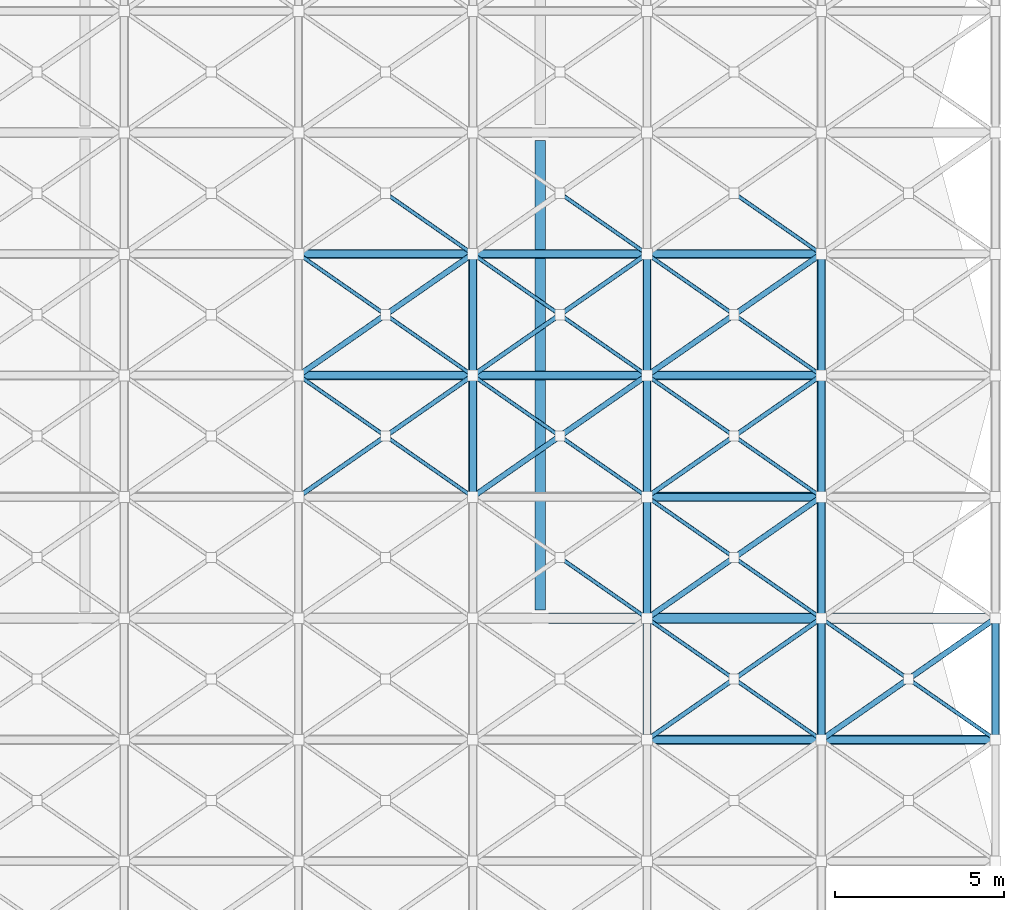
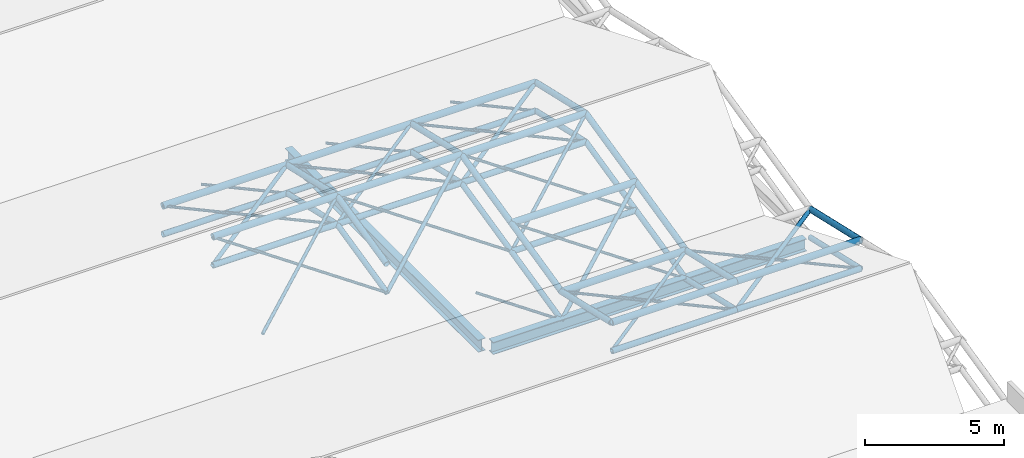
# One storey, part 43 of 110: 71 members, 2 beams.
"""IFC4 building model written with IfcOpenShell, lengths in metres."""

from ifc_helpers import new_model, si_unit, direction, frame, origin, origin_2d, place, context, subcontext, project, spatial, hollow_circle, i_section, extrude, material, material_profile, profile_set, type_object, element, save


model = new_model("IFC4")

# Units and contexts
model_context = context("Model", 3, precision=1e-05, world=origin(), true_north=direction((0.0, 1.0)))
body_context = subcontext(model_context, "Body", "Model", "MODEL_VIEW")
ifc_project = project(units=[si_unit("LENGTHUNIT", "METRE"), si_unit("AREAUNIT", "SQUARE_METRE"), si_unit("VOLUMEUNIT", "CUBIC_METRE"), si_unit("PLANEANGLEUNIT", "RADIAN"), si_unit("MASSUNIT", "GRAM", prefix="KILO")], contexts=[model_context])

# Site, building, storey
site_placement = place(None, origin())
site = spatial("IfcSite", under=ifc_project, at=site_placement, CompositionType="ELEMENT")
building_placement = place(site_placement, origin())
building = spatial("IfcBuilding", under=site, at=building_placement, Name="Tamarisk Ironworks Central Station", CompositionType="ELEMENT")
storey_placement = place(building_placement, frame((0.0, 0.0, 17.39990234375)))
storey = spatial("IfcBuildingStorey", under=building, at=storey_placement, Name="L03", CompositionType="ELEMENT", Elevation=17.39990234375)

# Beams
ifc_material_1 = material(Name="Structural steel S355J2", Category="steel")
ifc_material_profile_1 = material_profile(ifc_material_1, i_section(OverallWidth=0.300048828125, OverallDepth=0.5400390625, WebThickness=0.012451171875, FlangeThickness=0.02392578125, at=origin_2d()), Name="HEA 550")
ifc_profile_set_1 = profile_set([ifc_material_profile_1], Name="Structural steel S355J2")
beam_type = type_object("IfcBeamType", Name="BM-G04", PredefinedType="BEAM", material=ifc_profile_set_1)
beam_1_placement = place(storey_placement, frame((166.741943359375, 36.0, -1.869873046875), z_axis=(1.0, 0.0, 0.0), x_axis=(0.0, 1.0, 0.0)))
element("IfcBeam", 1, at=beam_1_placement, inside=storey, type_object=beam_type, Name="L03 primary girder X-0556", PredefinedType="BEAM", context=body_context, shape_type="SweptSolid", body=[
    extrude(i_section(OverallWidth=0.300048828125, OverallDepth=0.5400390625, WebThickness=0.012451171875, FlangeThickness=0.02392578125, at=origin_2d()), origin(), (0.0, 0.0, 1.0), 13.02001953125),
])
beam_2_placement = place(storey_placement, frame((166.5, 36.241943359375, -1.869873046875), z_axis=(0.0, 1.0, 0.0), x_axis=(-1.0, 0.0, 0.0)))
element("IfcBeam", 2, at=beam_2_placement, inside=storey, type_object=beam_type, Name="L03 primary girder Y-0618", PredefinedType="BEAM", context=body_context, shape_type="SweptSolid", body=[
    extrude(i_section(OverallWidth=0.300048828125, OverallDepth=0.5400390625, WebThickness=0.012451171875, FlangeThickness=0.02392578125, at=origin_2d()), origin(), (0.0, 0.0, 1.0), 13.916015625),
])

# Members
ifc_material_2 = material(Name="Structural steel S355J2H", Category="steel")
ifc_material_profile_2 = material_profile(ifc_material_2, hollow_circle(Radius=0.136474609375, WallThickness=0.012451171875, at=origin_2d()), Name="CHS 273x12.5")
ifc_profile_set_2 = profile_set([ifc_material_profile_2], Name="Structural steel S355J2H")
member_type_1 = type_object("IfcMemberType", Name="MB-SFC01", PredefinedType="CHORD", material=ifc_profile_set_2)
member_1_placement = place(storey_placement, frame((169.666748046875, 32.39990234375, 0.35498046875), z_axis=(1.0, 0.0, 0.0), x_axis=(0.0, 1.0, 0.0)))
element("IfcMember", 3, at=member_1_placement, inside=storey, type_object=member_type_1, Name="Train shed space-frame top chord 1097", PredefinedType="CHORD", context=body_context, shape_type="SweptSolid", body=[
    extrude(hollow_circle(Radius=0.136474609375, WallThickness=0.012451171875, at=origin_2d()), origin(), (0.0, 0.0, 1.0), 5.16650390625),
])
member_2_placement = place(storey_placement, frame((174.833251953125, 32.39990234375, 0.35498046875), z_axis=(1.0, 0.0, 0.0), x_axis=(0.0, 1.0, 0.0)))
element("IfcMember", 4, at=member_2_placement, inside=storey, type_object=member_type_1, Name="Train shed space-frame top chord 1098", PredefinedType="CHORD", context=body_context, shape_type="SweptSolid", body=[
    extrude(hollow_circle(Radius=0.136474609375, WallThickness=0.012451171875, at=origin_2d()), origin(), (0.0, 0.0, 1.0), 5.166748046875),
])
for number, where, z_axis, x_axis, name in (
    (5, (169.666748046875, 36.0, -0.469970703125), (1.0, 0.0, 0.0), (0.0, 1.0, 0.0), "Train shed space-frame top chord 1109"),
    (6, (169.666748046875, 39.60009765625, 0.35498046875), (1.0, 0.0, 0.0), (0.0, 1.0, 0.0), "Train shed space-frame top chord 1357"),
):
    element("IfcMember", number, at=place(storey_placement, frame(where, z_axis=z_axis, x_axis=x_axis)), inside=storey, type_object=member_type_1, Name=name, PredefinedType="CHORD", context=body_context, shape_type="SweptSolid", body=[
        extrude(hollow_circle(Radius=0.136474609375, WallThickness=0.012451171875, at=origin_2d()), origin(), (0.0, 0.0, 1.0), 5.16650390625),
    ])
for number, where, z_axis, x_axis, name in (
    (7, (159.333251953125, 43.199951171875, 1.18017578125), (1.0, 0.0, 0.0), (0.0, 1.0, 0.0), "Train shed space-frame top chord 1367"),
    (8, (164.5, 43.199951171875, 1.18017578125), (1.0, 0.0, 0.0), (0.0, 1.0, 0.0), "Train shed space-frame top chord 1368"),
):
    element("IfcMember", number, at=place(storey_placement, frame(where, z_axis=z_axis, x_axis=x_axis)), inside=storey, type_object=member_type_1, Name=name, PredefinedType="CHORD", context=body_context, shape_type="SweptSolid", body=[
        extrude(hollow_circle(Radius=0.136474609375, WallThickness=0.012451171875, at=origin_2d()), origin(), (0.0, 0.0, 1.0), 5.166748046875),
    ])
member_3_placement = place(storey_placement, frame((169.666748046875, 43.199951171875, 1.18017578125), z_axis=(1.0, 0.0, 0.0), x_axis=(0.0, 1.0, 0.0)))
element("IfcMember", 9, at=member_3_placement, inside=storey, type_object=member_type_1, Name="Train shed space-frame top chord 1369", PredefinedType="CHORD", context=body_context, shape_type="SweptSolid", body=[
    extrude(hollow_circle(Radius=0.136474609375, WallThickness=0.012451171875, at=origin_2d()), origin(), (0.0, 0.0, 1.0), 5.16650390625),
])
for number, where, z_axis, x_axis, name in (
    (10, (159.333251953125, 46.800048828125, 0.35498046875), (1.0, 0.0, 0.0), (0.0, 1.0, 0.0), "Train shed space-frame top chord 1379"),
    (11, (164.5, 46.800048828125, 0.35498046875), (1.0, 0.0, 0.0), (0.0, 1.0, 0.0), "Train shed space-frame top chord 1380"),
):
    element("IfcMember", number, at=place(storey_placement, frame(where, z_axis=z_axis, x_axis=x_axis)), inside=storey, type_object=member_type_1, Name=name, PredefinedType="CHORD", context=body_context, shape_type="SweptSolid", body=[
        extrude(hollow_circle(Radius=0.136474609375, WallThickness=0.012451171875, at=origin_2d()), origin(), (0.0, 0.0, 1.0), 5.166748046875),
    ])
member_4_placement = place(storey_placement, frame((169.666748046875, 46.800048828125, 0.35498046875), z_axis=(1.0, 0.0, 0.0), x_axis=(0.0, 1.0, 0.0)))
element("IfcMember", 12, at=member_4_placement, inside=storey, type_object=member_type_1, Name="Train shed space-frame top chord 1381", PredefinedType="CHORD", context=body_context, shape_type="SweptSolid", body=[
    extrude(hollow_circle(Radius=0.136474609375, WallThickness=0.012451171875, at=origin_2d()), origin(), (0.0, 0.0, 1.0), 5.16650390625),
])
ifc_material_profile_3 = material_profile(ifc_material_2, hollow_circle(Radius=0.122314453125, WallThickness=0.012451171875, at=origin_2d()), Name="CHS 244.5x12.5")
ifc_profile_set_3 = profile_set([ifc_material_profile_3], Name="Structural steel S355J2H")
member_type_2 = type_object("IfcMemberType", Name="MB-SFC02", PredefinedType="CHORD", material=ifc_profile_set_3)
member_5_placement = place(storey_placement, frame((169.666748046875, 32.39990234375, -0.89501953125), z_axis=(1.0, 0.0, 0.0), x_axis=(0.0, 1.0, 0.0)))
element("IfcMember", 13, at=member_5_placement, inside=storey, type_object=member_type_2, Name="Train shed space-frame bottom chord 0997", PredefinedType="CHORD", context=body_context, shape_type="SweptSolid", body=[
    extrude(hollow_circle(Radius=0.122314453125, WallThickness=0.012451171875, at=origin_2d()), origin(), (0.0, 0.0, 1.0), 5.16650390625),
])
member_6_placement = place(storey_placement, frame((174.833251953125, 32.39990234375, -0.89501953125), z_axis=(1.0, 0.0, 0.0), x_axis=(0.0, 1.0, 0.0)))
element("IfcMember", 14, at=member_6_placement, inside=storey, type_object=member_type_2, Name="Train shed space-frame bottom chord 0998", PredefinedType="CHORD", context=body_context, shape_type="SweptSolid", body=[
    extrude(hollow_circle(Radius=0.122314453125, WallThickness=0.012451171875, at=origin_2d()), origin(), (0.0, 0.0, 1.0), 5.166748046875),
])
for number, where, z_axis, x_axis, name in (
    (15, (169.666748046875, 32.39990234375, 0.35498046875), (0.0, 0.974736516158, -0.223357838607), (-1.0, 0.0, 0.0), "Train shed space-frame top transverse chord 1154"),
    (16, (174.833251953125, 32.39990234375, 0.35498046875), (0.0, 0.974736516158, -0.223357838607), (-1.0, 0.0, 0.0), "Train shed space-frame top transverse chord 1158"),
    (17, (180.0, 32.39990234375, 0.35498046875), (0.0, 0.974736516158, -0.223357838607), (-1.0, 0.0, 0.0), "Train shed space-frame top transverse chord 1162"),
):
    element("IfcMember", number, at=place(storey_placement, frame(where, z_axis=z_axis, x_axis=x_axis)), inside=storey, type_object=member_type_2, Name=name, PredefinedType="CHORD", context=body_context, shape_type="SweptSolid", body=[
        extrude(hollow_circle(Radius=0.122314453125, WallThickness=0.012451171875, at=origin_2d()), origin(), (0.0, 0.0, 1.0), 3.693359375),
    ])
member_7_placement = place(storey_placement, frame((169.666748046875, 39.60009765625, -0.89501953125), z_axis=(1.0, 0.0, 0.0), x_axis=(0.0, 1.0, 0.0)))
element("IfcMember", 18, at=member_7_placement, inside=storey, type_object=member_type_2, Name="Train shed space-frame bottom chord 1269", PredefinedType="CHORD", context=body_context, shape_type="SweptSolid", body=[
    extrude(hollow_circle(Radius=0.122314453125, WallThickness=0.012451171875, at=origin_2d()), origin(), (0.0, 0.0, 1.0), 5.16650390625),
])
for number, where, z_axis, x_axis, name in (
    (19, (159.333251953125, 43.199951171875, -0.06982421875), (1.0, 0.0, 0.0), (0.0, 1.0, 0.0), "Train shed space-frame bottom chord 1279"),
    (20, (164.5, 43.199951171875, -0.06982421875), (1.0, 0.0, 0.0), (0.0, 1.0, 0.0), "Train shed space-frame bottom chord 1280"),
):
    element("IfcMember", number, at=place(storey_placement, frame(where, z_axis=z_axis, x_axis=x_axis)), inside=storey, type_object=member_type_2, Name=name, PredefinedType="CHORD", context=body_context, shape_type="SweptSolid", body=[
        extrude(hollow_circle(Radius=0.122314453125, WallThickness=0.012451171875, at=origin_2d()), origin(), (0.0, 0.0, 1.0), 5.166748046875),
    ])
member_8_placement = place(storey_placement, frame((169.666748046875, 43.199951171875, -0.06982421875), z_axis=(1.0, 0.0, 0.0), x_axis=(0.0, 1.0, 0.0)))
element("IfcMember", 21, at=member_8_placement, inside=storey, type_object=member_type_2, Name="Train shed space-frame bottom chord 1281", PredefinedType="CHORD", context=body_context, shape_type="SweptSolid", body=[
    extrude(hollow_circle(Radius=0.122314453125, WallThickness=0.012451171875, at=origin_2d()), origin(), (0.0, 0.0, 1.0), 5.16650390625),
])
for number, where, z_axis, x_axis, name in (
    (22, (159.333251953125, 46.800048828125, -0.89501953125), (1.0, 0.0, 0.0), (0.0, 1.0, 0.0), "Train shed space-frame bottom chord 1291"),
    (23, (164.5, 46.800048828125, -0.89501953125), (1.0, 0.0, 0.0), (0.0, 1.0, 0.0), "Train shed space-frame bottom chord 1292"),
):
    element("IfcMember", number, at=place(storey_placement, frame(where, z_axis=z_axis, x_axis=x_axis)), inside=storey, type_object=member_type_2, Name=name, PredefinedType="CHORD", context=body_context, shape_type="SweptSolid", body=[
        extrude(hollow_circle(Radius=0.122314453125, WallThickness=0.012451171875, at=origin_2d()), origin(), (0.0, 0.0, 1.0), 5.166748046875),
    ])
member_9_placement = place(storey_placement, frame((169.666748046875, 46.800048828125, -0.89501953125), z_axis=(1.0, 0.0, 0.0), x_axis=(0.0, 1.0, 0.0)))
element("IfcMember", 24, at=member_9_placement, inside=storey, type_object=member_type_2, Name="Train shed space-frame bottom chord 1293", PredefinedType="CHORD", context=body_context, shape_type="SweptSolid", body=[
    extrude(hollow_circle(Radius=0.122314453125, WallThickness=0.012451171875, at=origin_2d()), origin(), (0.0, 0.0, 1.0), 5.16650390625),
])
member_10_placement = place(storey_placement, frame((164.5, 39.60009765625, 0.35498046875), z_axis=(0.0, 0.974718823144, 0.223435037113), x_axis=(-1.0, 0.0, 0.0)))
element("IfcMember", 25, at=member_10_placement, inside=storey, type_object=member_type_2, Name="Train shed space-frame top transverse chord 1432", PredefinedType="CHORD", context=body_context, shape_type="SweptSolid", body=[
    extrude(hollow_circle(Radius=0.122314453125, WallThickness=0.012451171875, at=origin_2d()), origin(), (0.0, 0.0, 1.0), 3.693115234375),
])
for number, where, z_axis, x_axis, name in (
    (26, (164.5, 43.199951171875, 1.18017578125), (0.0, 0.974722123001, -0.223420641241), (-1.0, 0.0, 0.0), "Train shed space-frame top transverse chord 1433"),
    (27, (169.666748046875, 36.0, -0.469970703125), (0.0, 0.974736516158, 0.223357838607), (-1.0, 0.0, 0.0), "Train shed space-frame top transverse chord 1435"),
):
    element("IfcMember", number, at=place(storey_placement, frame(where, z_axis=z_axis, x_axis=x_axis)), inside=storey, type_object=member_type_2, Name=name, PredefinedType="CHORD", context=body_context, shape_type="SweptSolid", body=[
        extrude(hollow_circle(Radius=0.122314453125, WallThickness=0.012451171875, at=origin_2d()), origin(), (0.0, 0.0, 1.0), 3.693359375),
    ])
member_11_placement = place(storey_placement, frame((169.666748046875, 39.60009765625, 0.35498046875), z_axis=(0.0, 0.974718823144, 0.223435037113), x_axis=(-1.0, 0.0, 0.0)))
element("IfcMember", 28, at=member_11_placement, inside=storey, type_object=member_type_2, Name="Train shed space-frame top transverse chord 1436", PredefinedType="CHORD", context=body_context, shape_type="SweptSolid", body=[
    extrude(hollow_circle(Radius=0.122314453125, WallThickness=0.012451171875, at=origin_2d()), origin(), (0.0, 0.0, 1.0), 3.693115234375),
])
for number, where, z_axis, x_axis, name in (
    (29, (169.666748046875, 43.199951171875, 1.18017578125), (0.0, 0.974722123001, -0.223420641241), (-1.0, 0.0, 0.0), "Train shed space-frame top transverse chord 1437"),
    (30, (174.833251953125, 36.0, -0.469970703125), (0.0, 0.974736516158, 0.223357838607), (-1.0, 0.0, 0.0), "Train shed space-frame top transverse chord 1439"),
):
    element("IfcMember", number, at=place(storey_placement, frame(where, z_axis=z_axis, x_axis=x_axis)), inside=storey, type_object=member_type_2, Name=name, PredefinedType="CHORD", context=body_context, shape_type="SweptSolid", body=[
        extrude(hollow_circle(Radius=0.122314453125, WallThickness=0.012451171875, at=origin_2d()), origin(), (0.0, 0.0, 1.0), 3.693359375),
    ])
member_12_placement = place(storey_placement, frame((174.833251953125, 39.60009765625, 0.35498046875), z_axis=(0.0, 0.974718823144, 0.223435037113), x_axis=(-1.0, 0.0, 0.0)))
element("IfcMember", 31, at=member_12_placement, inside=storey, type_object=member_type_2, Name="Train shed space-frame top transverse chord 1440", PredefinedType="CHORD", context=body_context, shape_type="SweptSolid", body=[
    extrude(hollow_circle(Radius=0.122314453125, WallThickness=0.012451171875, at=origin_2d()), origin(), (0.0, 0.0, 1.0), 3.693115234375),
])
member_13_placement = place(storey_placement, frame((174.833251953125, 43.199951171875, 1.18017578125), z_axis=(0.0, 0.974722123001, -0.223420641241), x_axis=(-1.0, 0.0, 0.0)))
element("IfcMember", 32, at=member_13_placement, inside=storey, type_object=member_type_2, Name="Train shed space-frame top transverse chord 1441", PredefinedType="CHORD", context=body_context, shape_type="SweptSolid", body=[
    extrude(hollow_circle(Radius=0.122314453125, WallThickness=0.012451171875, at=origin_2d()), origin(), (0.0, 0.0, 1.0), 3.693359375),
])
ifc_material_profile_4 = material_profile(ifc_material_2, hollow_circle(Radius=0.109619140625, WallThickness=0.010009765625, at=origin_2d()), Name="CHS 219.1x10")
ifc_profile_set_4 = profile_set([ifc_material_profile_4], Name="Structural steel S355J2H")
member_type_3 = type_object("IfcMemberType", Name="MB-SFC03", PredefinedType="CHORD", material=ifc_profile_set_4)
for number, where, z_axis, x_axis, name in (
    (33, (174.833251953125, 32.39990234375, -0.89501953125), (0.0, 0.974736516158, -0.223357838607), (-1.0, 0.0, 0.0), "Train shed space-frame transverse chord 1046"),
    (34, (180.0, 32.39990234375, -0.89501953125), (0.0, 0.974736516158, -0.223357838607), (-1.0, 0.0, 0.0), "Train shed space-frame transverse chord 1050"),
):
    element("IfcMember", number, at=place(storey_placement, frame(where, z_axis=z_axis, x_axis=x_axis)), inside=storey, type_object=member_type_3, Name=name, PredefinedType="CHORD", context=body_context, shape_type="SweptSolid", body=[
        extrude(hollow_circle(Radius=0.109619140625, WallThickness=0.010009765625, at=origin_2d()), origin(), (0.0, 0.0, 1.0), 3.693359375),
    ])
member_14_placement = place(storey_placement, frame((164.5, 39.60009765625, -0.89501953125), z_axis=(0.0, 0.974718823144, 0.223435037113), x_axis=(-1.0, 0.0, 0.0)))
element("IfcMember", 35, at=member_14_placement, inside=storey, type_object=member_type_3, Name="Train shed space-frame transverse chord 1332", PredefinedType="CHORD", context=body_context, shape_type="SweptSolid", body=[
    extrude(hollow_circle(Radius=0.109619140625, WallThickness=0.010009765625, at=origin_2d()), origin(), (0.0, 0.0, 1.0), 3.693115234375),
])
for number, where, z_axis, x_axis, name in (
    (36, (164.5, 43.199951171875, -0.06982421875), (0.0, 0.974722123001, -0.223420641241), (-1.0, 0.0, 0.0), "Train shed space-frame transverse chord 1333"),
    (37, (169.666748046875, 36.0, -1.719970703125), (0.0, 0.974736516158, 0.223357838607), (-1.0, 0.0, 0.0), "Train shed space-frame transverse chord 1335"),
):
    element("IfcMember", number, at=place(storey_placement, frame(where, z_axis=z_axis, x_axis=x_axis)), inside=storey, type_object=member_type_3, Name=name, PredefinedType="CHORD", context=body_context, shape_type="SweptSolid", body=[
        extrude(hollow_circle(Radius=0.109619140625, WallThickness=0.010009765625, at=origin_2d()), origin(), (0.0, 0.0, 1.0), 3.693359375),
    ])
member_15_placement = place(storey_placement, frame((169.666748046875, 39.60009765625, -0.89501953125), z_axis=(0.0, 0.974718823144, 0.223435037113), x_axis=(-1.0, 0.0, 0.0)))
element("IfcMember", 38, at=member_15_placement, inside=storey, type_object=member_type_3, Name="Train shed space-frame transverse chord 1336", PredefinedType="CHORD", context=body_context, shape_type="SweptSolid", body=[
    extrude(hollow_circle(Radius=0.109619140625, WallThickness=0.010009765625, at=origin_2d()), origin(), (0.0, 0.0, 1.0), 3.693115234375),
])
for number, where, z_axis, x_axis, name in (
    (39, (169.666748046875, 43.199951171875, -0.06982421875), (0.0, 0.974722123001, -0.223420641241), (-1.0, 0.0, 0.0), "Train shed space-frame transverse chord 1337"),
    (40, (174.833251953125, 36.0, -1.719970703125), (0.0, 0.974736516158, 0.223357838607), (-1.0, 0.0, 0.0), "Train shed space-frame transverse chord 1339"),
):
    element("IfcMember", number, at=place(storey_placement, frame(where, z_axis=z_axis, x_axis=x_axis)), inside=storey, type_object=member_type_3, Name=name, PredefinedType="CHORD", context=body_context, shape_type="SweptSolid", body=[
        extrude(hollow_circle(Radius=0.109619140625, WallThickness=0.010009765625, at=origin_2d()), origin(), (0.0, 0.0, 1.0), 3.693359375),
    ])
member_16_placement = place(storey_placement, frame((174.833251953125, 39.60009765625, -0.89501953125), z_axis=(0.0, 0.974718823144, 0.223435037113), x_axis=(-1.0, 0.0, 0.0)))
element("IfcMember", 41, at=member_16_placement, inside=storey, type_object=member_type_3, Name="Train shed space-frame transverse chord 1340", PredefinedType="CHORD", context=body_context, shape_type="SweptSolid", body=[
    extrude(hollow_circle(Radius=0.109619140625, WallThickness=0.010009765625, at=origin_2d()), origin(), (0.0, 0.0, 1.0), 3.693115234375),
])
member_17_placement = place(storey_placement, frame((174.833251953125, 43.199951171875, -0.06982421875), z_axis=(0.0, 0.974722123001, -0.223420641241), x_axis=(-1.0, 0.0, 0.0)))
element("IfcMember", 42, at=member_17_placement, inside=storey, type_object=member_type_3, Name="Train shed space-frame transverse chord 1341", PredefinedType="CHORD", context=body_context, shape_type="SweptSolid", body=[
    extrude(hollow_circle(Radius=0.109619140625, WallThickness=0.010009765625, at=origin_2d()), origin(), (0.0, 0.0, 1.0), 3.693359375),
])
ifc_material_profile_5 = material_profile(ifc_material_2, hollow_circle(Radius=0.084228515625, WallThickness=0.010009765625, at=origin_2d()), Name="CHS 168.3x10")
ifc_profile_set_5 = profile_set([ifc_material_profile_5], Name="Structural steel S355J2H")
member_type_4 = type_object("IfcMemberType", Name="MB-SFD01", PredefinedType="BRACE", material=ifc_profile_set_5)
for number, where, z_axis, x_axis, name in (
    (43, (174.833251953125, 32.39990234375, -0.89501953125), (0.818607749421, 0.570391242875, 0.067343764671), (-0.571689073201, 0.82047035509, 0.0), "Train shed space-frame diagonal 1257"),
    (44, (159.333251953125, 43.199951171875, -0.06982421875), (0.818609881232, 0.570392728283, 0.067305258864), (-0.571689073201, 0.82047035509, 0.0), "Train shed space-frame diagonal 1515"),
):
    element("IfcMember", number, at=place(storey_placement, frame(where, z_axis=z_axis, x_axis=x_axis)), inside=storey, type_object=member_type_4, Name=name, PredefinedType="BRACE", context=body_context, shape_type="SweptSolid", body=[
        extrude(hollow_circle(Radius=0.084228515625, WallThickness=0.010009765625, at=origin_2d()), origin(), (0.0, 0.0, 1.0), 6.3115234375),
    ])
member_18_placement = place(storey_placement, frame((164.5, 39.60009765625, -0.89501953125), z_axis=(0.779264964314, 0.542941071625, 0.312987392934), x_axis=(-0.57166297408, 0.820488539875, 0.0)))
element("IfcMember", 45, at=member_18_placement, inside=storey, type_object=member_type_4, Name="Train shed space-frame diagonal 1521", PredefinedType="BRACE", context=body_context, shape_type="SweptSolid", body=[
    extrude(hollow_circle(Radius=0.084228515625, WallThickness=0.010009765625, at=origin_2d()), origin(), (0.0, 0.0, 1.0), 6.63037109375),
])
member_19_placement = place(storey_placement, frame((169.666748046875, 36.0, -1.719970703125), z_axis=(0.779243902426, 0.542988875587, 0.312956900421), x_axis=(-0.571707258436, 0.820457683645, 0.0)))
element("IfcMember", 46, at=member_19_placement, inside=storey, type_object=member_type_4, Name="Train shed space-frame diagonal 1527", PredefinedType="BRACE", context=body_context, shape_type="SweptSolid", body=[
    extrude(hollow_circle(Radius=0.084228515625, WallThickness=0.010009765625, at=origin_2d()), origin(), (0.0, 0.0, 1.0), 6.630126953125),
])
member_20_placement = place(storey_placement, frame((169.666748046875, 43.199951171875, -0.06982421875), z_axis=(0.81859712056, 0.570410790085, 0.067307390123), x_axis=(-0.571707258436, 0.820457683645, 0.0)))
element("IfcMember", 47, at=member_20_placement, inside=storey, type_object=member_type_4, Name="Train shed space-frame diagonal 1531", PredefinedType="BRACE", context=body_context, shape_type="SweptSolid", body=[
    extrude(hollow_circle(Radius=0.084228515625, WallThickness=0.010009765625, at=origin_2d()), origin(), (0.0, 0.0, 1.0), 6.3115234375),
])
ifc_material_profile_6 = material_profile(ifc_material_2, hollow_circle(Radius=0.06982421875, WallThickness=0.008056640625, at=origin_2d()), Name="CHS 139.7x8")
ifc_profile_set_6 = profile_set([ifc_material_profile_6], Name="Structural steel S355J2H")
member_type_5 = type_object("IfcMemberType", Name="MB-SFD02", PredefinedType="BRACE", material=ifc_profile_set_6)
member_21_placement = place(storey_placement, frame((169.666748046875, 32.39990234375, -0.89501953125), z_axis=(0.818594988647, 0.570409304536, 0.067345897138), x_axis=(-0.571707258436, 0.820457683645, 0.0)))
element("IfcMember", 48, at=member_21_placement, inside=storey, type_object=member_type_5, Name="Train shed space-frame diagonal 1249", PredefinedType="BRACE", context=body_context, shape_type="SweptSolid", body=[
    extrude(hollow_circle(Radius=0.06982421875, WallThickness=0.008056640625, at=origin_2d()), origin(), (0.0, 0.0, 1.0), 6.3115234375),
])
member_22_placement = place(storey_placement, frame((159.333251953125, 39.60009765625, -0.89501953125), z_axis=(0.779264964314, 0.542941071625, 0.312987392934), x_axis=(-0.57166297408, 0.820488539875, 0.0)))
element("IfcMember", 49, at=member_22_placement, inside=storey, type_object=member_type_5, Name="Train shed space-frame diagonal 1513", PredefinedType="BRACE", context=body_context, shape_type="SweptSolid", body=[
    extrude(hollow_circle(Radius=0.06982421875, WallThickness=0.008056640625, at=origin_2d()), origin(), (0.0, 0.0, 1.0), 6.63037109375),
])
member_23_placement = place(storey_placement, frame((164.5, 43.199951171875, -0.06982421875), z_axis=(0.818609881232, 0.570392728283, 0.067305258864), x_axis=(-0.571689073201, 0.82047035509, 0.0)))
element("IfcMember", 50, at=member_23_placement, inside=storey, type_object=member_type_5, Name="Train shed space-frame diagonal 1523", PredefinedType="BRACE", context=body_context, shape_type="SweptSolid", body=[
    extrude(hollow_circle(Radius=0.06982421875, WallThickness=0.008056640625, at=origin_2d()), origin(), (0.0, 0.0, 1.0), 6.3115234375),
])
member_24_placement = place(storey_placement, frame((169.666748046875, 39.60009765625, -0.89501953125), z_axis=(0.779250501976, 0.54295665115, 0.31299637401), x_axis=(-0.571681159291, 0.820475869305, 0.0)))
element("IfcMember", 51, at=member_24_placement, inside=storey, type_object=member_type_5, Name="Train shed space-frame diagonal 1529", PredefinedType="BRACE", context=body_context, shape_type="SweptSolid", body=[
    extrude(hollow_circle(Radius=0.06982421875, WallThickness=0.008056640625, at=origin_2d()), origin(), (0.0, 0.0, 1.0), 6.630126953125),
])
ifc_material_profile_7 = material_profile(ifc_material_2, hollow_circle(Radius=0.05712890625, WallThickness=0.00634765625, at=origin_2d()), Name="CHS 114.3x6.3")
ifc_profile_set_7 = profile_set([ifc_material_profile_7], Name="Structural steel S355J2H")
member_type_6 = type_object("IfcMemberType", Name="MB-SFD03", PredefinedType="BRACE", material=ifc_profile_set_7)
for number, where, z_axis, x_axis, name in (
    (52, (174.833251953125, 32.39990234375, -0.89501953125), (-0.818584353535, 0.570418740152, 0.06739523003), (-0.571718624339, -0.820449763596, 0.0), "Train shed space-frame split counter-diagonal lower 1250"),
    (53, (172.205078125, 34.2314453125, -0.6787109375), (-0.81862545828, 0.570368646704, 0.067319877544), (-0.571665501983, -0.820486778591, 0.0), "Train shed space-frame split counter-diagonal upper 1250"),
    (54, (180.0, 32.39990234375, -0.89501953125), (-0.818584353535, 0.570418740152, 0.06739523003), (-0.571718624339, -0.820449763596, 0.0), "Train shed space-frame split counter-diagonal lower 1258"),
    (55, (177.37158203125, 34.2314453125, -0.6787109375), (-0.81862545828, 0.570368646704, 0.067319877544), (-0.571665501983, -0.820486778591, 0.0), "Train shed space-frame split counter-diagonal upper 1258"),
):
    element("IfcMember", number, at=place(storey_placement, frame(where, z_axis=z_axis, x_axis=x_axis)), inside=storey, type_object=member_type_6, Name=name, PredefinedType="BRACE", context=body_context, shape_type="SweptSolid", body=[
        extrude(hollow_circle(Radius=0.05712890625, WallThickness=0.00634765625, at=origin_2d()), origin(), (0.0, 0.0, 1.0), 3.100830078125),
    ])
for number, where, z_axis, x_axis, name in (
    (56, (164.5, 39.60009765625, -0.89501953125), (-0.779233692289, 0.542954759164, 0.313041502525), (-0.571688120068, -0.820471019216, 0.0), "Train shed space-frame split counter-diagonal lower 1514"),
    (57, (161.873779296875, 41.429931640625, 0.159912109375), (-0.779281371438, 0.542935800781, 0.31295568434), (-0.571651135352, -0.820496788203, 0.0), "Train shed space-frame split counter-diagonal upper 1514"),
):
    element("IfcMember", number, at=place(storey_placement, frame(where, z_axis=z_axis, x_axis=x_axis)), inside=storey, type_object=member_type_6, Name=name, PredefinedType="BRACE", context=body_context, shape_type="SweptSolid", body=[
        extrude(hollow_circle(Radius=0.05712890625, WallThickness=0.00634765625, at=origin_2d()), origin(), (0.0, 0.0, 1.0), 3.260009765625),
    ])
for number, where, z_axis, x_axis, name in (
    (58, (164.5, 43.199951171875, -0.06982421875), (-0.81862545828, 0.570368646704, 0.067319877544), (-0.571665501983, -0.820486778591, 0.0), "Train shed space-frame split counter-diagonal lower 1516"),
    (59, (161.87158203125, 45.031494140625, 0.146240234375), (-0.81862545828, 0.570368646704, 0.067319877544), (-0.571665501983, -0.820486778591, 0.0), "Train shed space-frame split counter-diagonal upper 1516"),
    (60, (164.5, 46.800048828125, -0.89501953125), (-0.818621116616, 0.570365621695, 0.067398256788), (-0.571665501983, -0.820486778591, 0.0), "Train shed space-frame split counter-diagonal lower 1518"),
):
    element("IfcMember", number, at=place(storey_placement, frame(where, z_axis=z_axis, x_axis=x_axis)), inside=storey, type_object=member_type_6, Name=name, PredefinedType="BRACE", context=body_context, shape_type="SweptSolid", body=[
        extrude(hollow_circle(Radius=0.05712890625, WallThickness=0.00634765625, at=origin_2d()), origin(), (0.0, 0.0, 1.0), 3.100830078125),
    ])
member_25_placement = place(storey_placement, frame((169.666748046875, 36.0, -1.719970703125), z_axis=(-0.779281371438, 0.542935800781, 0.31295568434), x_axis=(-0.571651135352, -0.820496788203, 0.0)))
element("IfcMember", 61, at=member_25_placement, inside=storey, type_object=member_type_6, Name="Train shed space-frame split counter-diagonal lower 1520", PredefinedType="BRACE", context=body_context, shape_type="SweptSolid", body=[
    extrude(hollow_circle(Radius=0.05712890625, WallThickness=0.00634765625, at=origin_2d()), origin(), (0.0, 0.0, 1.0), 3.260009765625),
])
member_26_placement = place(storey_placement, frame((169.666748046875, 39.60009765625, -0.89501953125), z_axis=(-0.779263106243, 0.542923075174, 0.313023235066), x_axis=(-0.571651135352, -0.820496788203, 0.0)))
element("IfcMember", 62, at=member_26_placement, inside=storey, type_object=member_type_6, Name="Train shed space-frame split counter-diagonal lower 1522", PredefinedType="BRACE", context=body_context, shape_type="SweptSolid", body=[
    extrude(hollow_circle(Radius=0.05712890625, WallThickness=0.00634765625, at=origin_2d()), origin(), (0.0, 0.0, 1.0), 3.26025390625),
])
member_27_placement = place(storey_placement, frame((167.040283203125, 41.429931640625, 0.159912109375), z_axis=(-0.779251958926, 0.542967486998, 0.312973948712), x_axis=(-0.571688120068, -0.820471019216, 0.0)))
element("IfcMember", 63, at=member_27_placement, inside=storey, type_object=member_type_6, Name="Train shed space-frame split counter-diagonal upper 1522", PredefinedType="BRACE", context=body_context, shape_type="SweptSolid", body=[
    extrude(hollow_circle(Radius=0.05712890625, WallThickness=0.00634765625, at=origin_2d()), origin(), (0.0, 0.0, 1.0), 3.260009765625),
])
for number, where, z_axis, x_axis, name in (
    (64, (169.666748046875, 43.199951171875, -0.06982421875), (-0.81862545828, 0.570368646704, 0.067319877544), (-0.571665501983, -0.820486778591, 0.0), "Train shed space-frame split counter-diagonal lower 1524"),
    (65, (167.038330078125, 45.031494140625, 0.146240234375), (-0.81862545828, 0.570368646704, 0.067319877544), (-0.571665501983, -0.820486778591, 0.0), "Train shed space-frame split counter-diagonal upper 1524"),
    (66, (169.666748046875, 46.800048828125, -0.89501953125), (-0.818621116616, 0.570365621695, 0.067398256788), (-0.571665501983, -0.820486778591, 0.0), "Train shed space-frame split counter-diagonal lower 1526"),
):
    element("IfcMember", number, at=place(storey_placement, frame(where, z_axis=z_axis, x_axis=x_axis)), inside=storey, type_object=member_type_6, Name=name, PredefinedType="BRACE", context=body_context, shape_type="SweptSolid", body=[
        extrude(hollow_circle(Radius=0.05712890625, WallThickness=0.00634765625, at=origin_2d()), origin(), (0.0, 0.0, 1.0), 3.100830078125),
    ])
for number, where, z_axis, x_axis, name in (
    (67, (174.833251953125, 36.0, -1.719970703125), (-0.779251958926, 0.542967486998, 0.312973948712), (-0.571688120068, -0.820471019216, 0.0), "Train shed space-frame split counter-diagonal lower 1528"),
    (68, (172.20703125, 37.829833984375, -0.665283203125), (-0.779220271205, 0.543020296637, 0.312961221852), (-0.571741198525, -0.820434032637, 0.0), "Train shed space-frame split counter-diagonal upper 1528"),
    (69, (174.833251953125, 39.60009765625, -0.89501953125), (-0.779233692289, 0.542954759164, 0.313041502525), (-0.571688120068, -0.820471019216, 0.0), "Train shed space-frame split counter-diagonal lower 1530"),
    (70, (172.20703125, 41.429931640625, 0.159912109375), (-0.779251958926, 0.542967486998, 0.312973948712), (-0.571688120068, -0.820471019216, 0.0), "Train shed space-frame split counter-diagonal upper 1530"),
):
    element("IfcMember", number, at=place(storey_placement, frame(where, z_axis=z_axis, x_axis=x_axis)), inside=storey, type_object=member_type_6, Name=name, PredefinedType="BRACE", context=body_context, shape_type="SweptSolid", body=[
        extrude(hollow_circle(Radius=0.05712890625, WallThickness=0.00634765625, at=origin_2d()), origin(), (0.0, 0.0, 1.0), 3.260009765625),
    ])
for number, where, z_axis, x_axis, name in (
    (71, (174.833251953125, 43.199951171875, -0.06982421875), (-0.81862545828, 0.570368646704, 0.067319877544), (-0.571665501983, -0.820486778591, 0.0), "Train shed space-frame split counter-diagonal lower 1532"),
    (72, (172.205078125, 45.031494140625, 0.146240234375), (-0.81862545828, 0.570368646704, 0.067319877544), (-0.571665501983, -0.820486778591, 0.0), "Train shed space-frame split counter-diagonal upper 1532"),
    (73, (174.833251953125, 46.800048828125, -0.89501953125), (-0.818621116616, 0.570365621695, 0.067398256788), (-0.571665501983, -0.820486778591, 0.0), "Train shed space-frame split counter-diagonal lower 1534"),
):
    element("IfcMember", number, at=place(storey_placement, frame(where, z_axis=z_axis, x_axis=x_axis)), inside=storey, type_object=member_type_6, Name=name, PredefinedType="BRACE", context=body_context, shape_type="SweptSolid", body=[
        extrude(hollow_circle(Radius=0.05712890625, WallThickness=0.00634765625, at=origin_2d()), origin(), (0.0, 0.0, 1.0), 3.100830078125),
    ])

save(model, "model.ifc")
